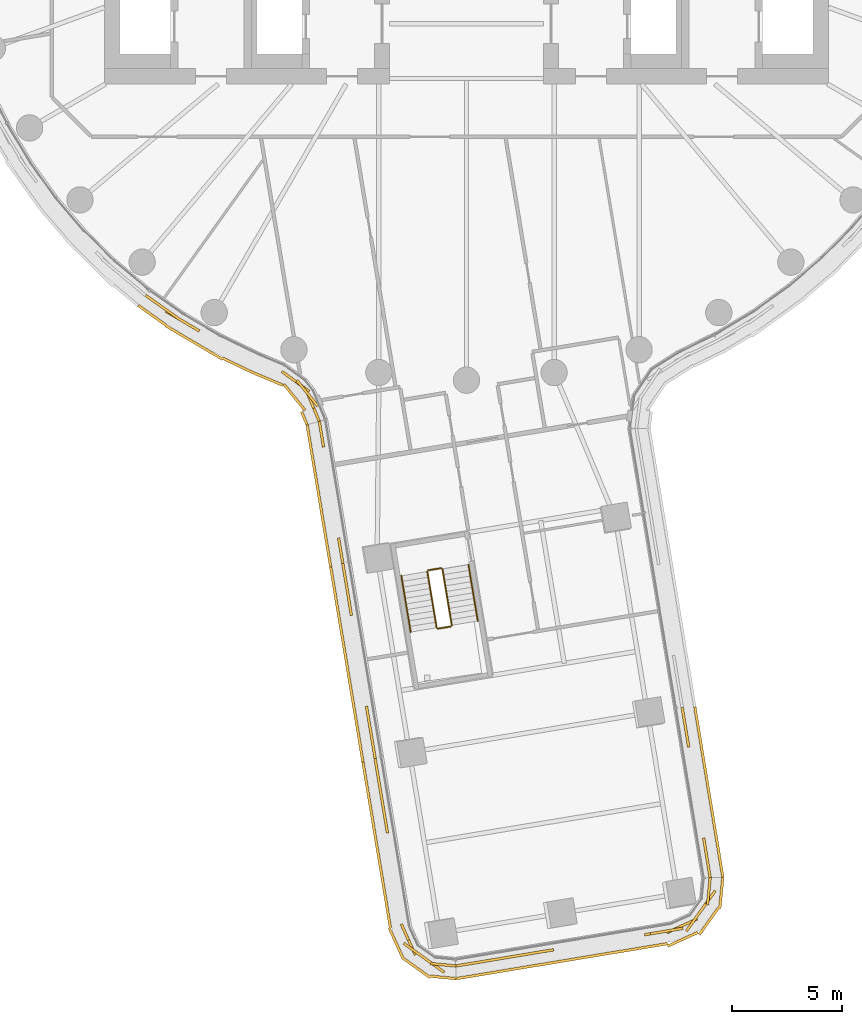
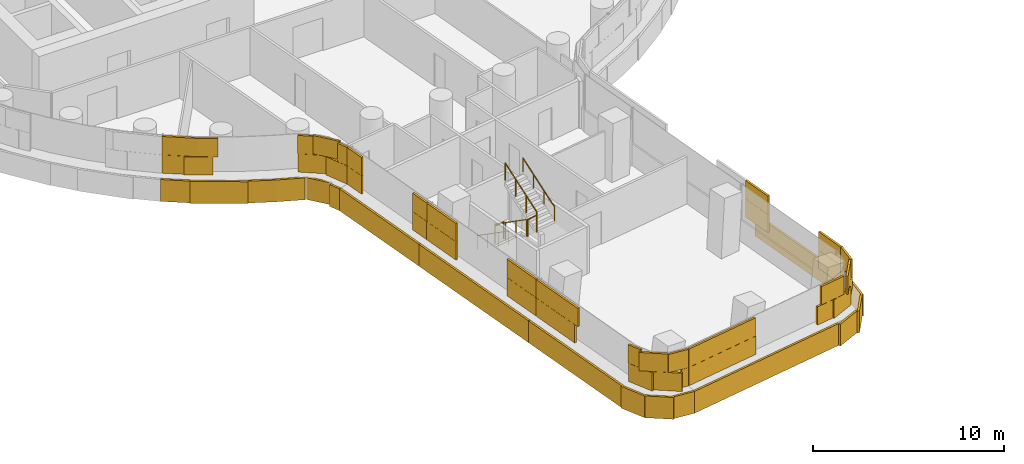
# One storey, part 26 of 32: 6 coverings, 6 railings.
"""IFC4 building model written with IfcOpenShell, lengths in metres."""

from ifc_helpers import new_model, si_unit, direction, frame, origin, origin_2d, place, context, subcontext, project, spatial, rectangle, circle, extrude, material, layer, layer_set, type_object, element, save


model = new_model("IFC4")

# Units and contexts
model_context = context("Model", 3, precision=1e-05, world=origin(), true_north=direction((0.0, 1.0)))
body_context = subcontext(model_context, "Body", "Model", "MODEL_VIEW")
ifc_project = project(units=[si_unit("LENGTHUNIT", "METRE"), si_unit("AREAUNIT", "SQUARE_METRE"), si_unit("VOLUMEUNIT", "CUBIC_METRE"), si_unit("PLANEANGLEUNIT", "RADIAN"), si_unit("MASSUNIT", "GRAM", prefix="KILO")], contexts=[model_context])

# Site, building, storey
site_placement = place(None, origin())
site = spatial("IfcSite", under=ifc_project, at=site_placement, CompositionType="ELEMENT")
building_placement = place(site_placement, origin())
building = spatial("IfcBuilding", under=site, at=building_placement, Name="Tamarind Cross Interchange Tower", CompositionType="ELEMENT")
storey_placement = place(building_placement, frame((0.0, 0.0, 67.75)))
storey = spatial("IfcBuildingStorey", under=building, at=storey_placement, Name="L15", CompositionType="ELEMENT", Elevation=67.75)

# Railings
ifc_material_1 = material(Name="Stair guard")
railing_type_1 = type_object("IfcRailingType", Name="Stair guard", PredefinedType="GUARDRAIL", material=ifc_material_1)
railing_1_placement = place(storey_placement, frame((-1.78564453125, -31.722412109375, 0.17041015625)))
element("IfcRailing", 1, at=railing_1_placement, inside=storey, type_object=railing_type_1, Name="L15 ST6 stair guard 1", PredefinedType="GUARDRAIL", context=body_context, shape_type="SweptSolid", body=[
    extrude(circle(Radius=0.02392578125, at=origin_2d()), frame((0.0, 0.0, 1.076171875), z_axis=(0.136643238685, -0.82504245151, 0.548300627874), x_axis=(0.986560917186, 0.163393869779, 0.0)), (0.0, 0.0, 1.0), 3.10888671875),
    extrude(circle(Radius=0.02099609375, at=origin_2d()), origin(), (0.0, 0.0, 1.0), 1.052001953125),
    extrude(circle(Radius=0.02099609375, at=origin_2d()), frame((0.1416015625, -0.85498046875, 0.568115234375)), (0.0, 0.0, 1.0), 1.052001953125),
    extrude(circle(Radius=0.02099609375, at=origin_2d()), frame((0.283203125, -1.7099609375, 1.136474609375)), (0.0, 0.0, 1.0), 1.052001953125),
    extrude(circle(Radius=0.02099609375, at=origin_2d()), frame((0.4248046875, -2.56494140625, 1.70458984375)), (0.0, 0.0, 1.0), 1.052001953125),
])
railing_2_placement = place(storey_placement, frame((-1.30322265625, -34.32861328125, 1.875)))
element("IfcRailing", 2, at=railing_2_placement, inside=storey, type_object=railing_type_1, Name="L15 ST6 stair guard 2", PredefinedType="GUARDRAIL", context=body_context, shape_type="SweptSolid", body=[
    extrude(circle(Radius=0.02392578125, at=origin_2d()), frame((0.0, 0.0, 1.076171875), z_axis=(0.986525600228, 0.163606968355, 0.0), x_axis=(-0.163606968355, 0.986525600228, 0.0)), (0.0, 0.0, 1.0), 0.599853515625),
    extrude(circle(Radius=0.02099609375, at=origin_2d()), origin(), (0.0, 0.0, 1.0), 1.052001953125),
    extrude(circle(Radius=0.02099609375, at=origin_2d()), frame((0.591796875, 0.09814453125, 0.0)), (0.0, 0.0, 1.0), 1.052001953125),
])
railing_3_placement = place(storey_placement, frame((-0.670166015625, -34.173095703125, 2.04541015625)))
element("IfcRailing", 3, at=railing_3_placement, inside=storey, type_object=railing_type_1, Name="L15 ST6 stair guard 3", PredefinedType="GUARDRAIL", context=body_context, shape_type="SweptSolid", body=[
    extrude(circle(Radius=0.02392578125, at=origin_2d()), frame((0.0, 0.0, 1.076171875), z_axis=(-0.136634385862, 0.825067524282, 0.548265104648), x_axis=(-0.986563423859, -0.163378733941, 0.0)), (0.0, 0.0, 1.0), 3.109130859375),
    extrude(circle(Radius=0.02099609375, at=origin_2d()), origin(), (0.0, 0.0, 1.0), 1.052001953125),
    extrude(circle(Radius=0.02099609375, at=origin_2d()), frame((-0.1416015625, 0.85498046875, 0.568115234375)), (0.0, 0.0, 1.0), 1.052001953125),
    extrude(circle(Radius=0.02099609375, at=origin_2d()), frame((-0.283203125, 1.710205078125, 1.136474609375)), (0.0, 0.0, 1.0), 1.052001953125),
    extrude(circle(Radius=0.02099609375, at=origin_2d()), frame((-0.4248046875, 2.565185546875, 1.70458984375)), (0.0, 0.0, 1.0), 1.052001953125),
])
railing_4_placement = place(storey_placement, frame((-1.744384765625, -31.664794921875, 0.0)))
element("IfcRailing", 4, at=railing_4_placement, inside=storey, type_object=railing_type_1, Name="L15 ST6 stair guard 4", PredefinedType="GUARDRAIL", context=body_context, shape_type="SweptSolid", body=[
    extrude(circle(Radius=0.02392578125, at=origin_2d()), frame((0.0, 0.0, 1.076171875), z_axis=(0.986602048355, 0.163145328408, 0.0), x_axis=(-0.163145328408, 0.986602048355, 0.0)), (0.0, 0.0, 1.0), 0.60009765625),
    extrude(circle(Radius=0.02099609375, at=origin_2d()), origin(), (0.0, 0.0, 1.0), 1.052001953125),
    extrude(circle(Radius=0.02099609375, at=origin_2d()), frame((0.592041015625, 0.097900390625, 0.0)), (0.0, 0.0, 1.0), 1.052001953125),
])
ifc_material_2 = material(Name="Stair handrail")
railing_type_2 = type_object("IfcRailingType", Name="Stair handrail", PredefinedType="HANDRAIL", material=ifc_material_2)
railing_5_placement = place(storey_placement, frame((-2.969482421875, -31.91845703125, 0.17041015625)))
element("IfcRailing", 5, at=railing_5_placement, inside=storey, type_object=railing_type_2, Name="L15 ST6 stair handrail 1", PredefinedType="HANDRAIL", context=body_context, shape_type="SweptSolid", body=[
    extrude(circle(Radius=0.02392578125, at=origin_2d()), frame((0.0, 0.0, 0.8759765625), z_axis=(0.136643238685, -0.82504245151, 0.548300627874), x_axis=(0.986560917186, 0.163393869779, 0.0)), (0.0, 0.0, 1.0), 3.10888671875),
    extrude(circle(Radius=0.02099609375, at=origin_2d()), origin(), (0.0, 0.0, 1.0), 0.851806640625),
    extrude(circle(Radius=0.02099609375, at=origin_2d()), frame((0.1416015625, -0.85498046875, 0.568115234375)), (0.0, 0.0, 1.0), 0.851806640625),
    extrude(circle(Radius=0.02099609375, at=origin_2d()), frame((0.283203125, -1.7099609375, 1.136474609375)), (0.0, 0.0, 1.0), 0.851806640625),
    extrude(circle(Radius=0.02099609375, at=origin_2d()), frame((0.4248046875, -2.56494140625, 1.70458984375)), (0.0, 0.0, 1.0), 0.851806640625),
])
railing_6_placement = place(storey_placement, frame((0.513671875, -33.97705078125, 2.04541015625)))
element("IfcRailing", 6, at=railing_6_placement, inside=storey, type_object=railing_type_2, Name="L15 ST6 stair handrail 2", PredefinedType="HANDRAIL", context=body_context, shape_type="SweptSolid", body=[
    extrude(circle(Radius=0.02392578125, at=origin_2d()), frame((0.0, 0.0, 0.8759765625), z_axis=(-0.136634385862, 0.825067524282, 0.548265104648), x_axis=(-0.986563423859, -0.163378733941, 0.0)), (0.0, 0.0, 1.0), 3.109130859375),
    extrude(circle(Radius=0.02099609375, at=origin_2d()), origin(), (0.0, 0.0, 1.0), 0.851806640625),
    extrude(circle(Radius=0.02099609375, at=origin_2d()), frame((-0.1416015625, 0.85498046875, 0.568115234375)), (0.0, 0.0, 1.0), 0.851806640625),
    extrude(circle(Radius=0.02099609375, at=origin_2d()), frame((-0.283203125, 1.710205078125, 1.136474609375)), (0.0, 0.0, 1.0), 0.851806640625),
    extrude(circle(Radius=0.02099609375, at=origin_2d()), frame((-0.4248046875, 2.565185546875, 1.70458984375)), (0.0, 0.0, 1.0), 0.851806640625),
])

# Coverings
ifc_material_3 = material(Name="Terracotta", Category="masonry")
ifc_layer = layer(ifc_material_3, 0.1201171875)
ifc_layer_set = layer_set([ifc_layer], Name="Terracotta")
covering_type = type_object("IfcCoveringType", Name="Terracotta baguette screen unit", PredefinedType="MOLDING", material=ifc_layer_set)
covering_1_placement = place(storey_placement, origin())
element("IfcCovering", 7, at=covering_1_placement, inside=storey, type_object=covering_type, Name="SCR-L15-06-01", PredefinedType="MOLDING", context=body_context, shape_type="SweptSolid", body=[
    extrude(rectangle(XDim=1.171875, YDim=0.1201171875, at=origin_2d()), frame((-14.1455078125, -19.4716796875, 1.404052734375), z_axis=(0.0, 0.0, 1.0), x_axis=(0.816341886298, -0.577568978284, 0.0)), (0.0, 0.0, 1.0), 1.1669921875),
    extrude(rectangle(XDim=1.52001953125, YDim=0.1201171875, at=origin_2d()), frame((-13.057373046875, -20.238037109375, 1.404052734375), z_axis=(0.0, 0.0, 1.0), x_axis=(0.861248933065, -0.508183308752, 0.0)), (0.0, 0.0, 1.0), 1.1669921875),
    extrude(rectangle(XDim=1.52001953125, YDim=0.1201171875, at=origin_2d()), frame((-7.782958984375, -23.063232421875, 1.404052734375), z_axis=(0.0, 0.0, 1.0), x_axis=(0.807619088086, -0.58970450953, 0.0)), (0.0, 0.0, 1.0), 1.1669921875),
    extrude(rectangle(XDim=1.40771484375, YDim=0.1201171875, at=origin_2d()), frame((-6.98193359375, -24.23193359375, 1.404052734375), z_axis=(0.0, 0.0, 1.0), x_axis=(0.388605632724, -0.921404179617, 0.0)), (0.0, 0.0, 1.0), 1.1669921875),
    extrude(rectangle(XDim=0.421875, YDim=0.1201171875, at=origin_2d()), frame((-14.451416015625, -19.255126953125, 2.5791015625), z_axis=(0.0, 0.0, 1.0), x_axis=(0.816341886298, -0.577568978284, 0.0)), (0.0, 0.0, 1.0), 1.1669921875),
    extrude(rectangle(XDim=1.52001953125, YDim=0.1201171875, at=origin_2d()), frame((-13.671142578125, -19.80712890625, 2.5791015625), z_axis=(0.0, 0.0, 1.0), x_axis=(0.816341886298, -0.577568978284, 0.0)), (0.0, 0.0, 1.0), 1.1669921875),
    extrude(rectangle(XDim=1.02783203125, YDim=0.1201171875, at=origin_2d()), frame((-12.618896484375, -20.49658203125, 2.5791015625), z_axis=(0.0, 0.0, 1.0), x_axis=(0.861248933065, -0.508183308752, 0.0)), (0.0, 0.0, 1.0), 1.1669921875),
    extrude(rectangle(XDim=0.7919921875, YDim=0.1201171875, at=origin_2d()), frame((-8.098876953125, -22.832763671875, 2.5791015625), z_axis=(0.0, 0.0, 1.0), x_axis=(0.807619088086, -0.58970450953, 0.0)), (0.0, 0.0, 1.0), 1.1669921875),
    extrude(rectangle(XDim=1.52001953125, YDim=0.1201171875, at=origin_2d()), frame((-7.258544921875, -23.591064453125, 2.5791015625), z_axis=(0.0, 0.0, 1.0), x_axis=(0.629913015417, -0.776665689347, 0.0)), (0.0, 0.0, 1.0), 1.1669921875),
    extrude(rectangle(XDim=0.65771484375, YDim=0.1201171875, at=origin_2d()), frame((-6.836181640625, -24.577392578125, 2.5791015625), z_axis=(0.0, 0.0, 1.0), x_axis=(0.388605632724, -0.921404179617, 0.0)), (0.0, 0.0, 1.0), 1.1669921875),
    extrude(rectangle(XDim=0.06396484375, YDim=0.1201171875, at=origin_2d()), frame((-14.9423828125, -19.61083984375, 0.00390625), z_axis=(0.0, 0.0, 1.0), x_axis=(0.816341886298, -0.577568978284, 0.0)), (0.0, 0.0, 1.0), 1.39208984375),
    extrude(rectangle(XDim=1.52001953125, YDim=0.1201171875, at=origin_2d()), frame((-14.31201171875, -20.056884765625, 0.00390625), z_axis=(0.0, 0.0, 1.0), x_axis=(0.816341886298, -0.577568978284, 0.0)), (0.0, 0.0, 1.0), 1.39208984375),
    extrude(rectangle(XDim=1.52001953125, YDim=0.1201171875, at=origin_2d()), frame((-13.070556640625, -20.896728515625, 0.00390625), z_axis=(0.0, 0.0, 1.0), x_axis=(0.861248933065, -0.508183308752, 0.0)), (0.0, 0.0, 1.0), 1.39208984375),
    extrude(rectangle(XDim=1.52001953125, YDim=0.1201171875, at=origin_2d()), frame((-11.778564453125, -21.658935546875, 0.00390625), z_axis=(0.0, 0.0, 1.0), x_axis=(0.861248933065, -0.508183308752, 0.0)), (0.0, 0.0, 1.0), 1.39208984375),
    extrude(rectangle(XDim=1.52001953125, YDim=0.1201171875, at=origin_2d()), frame((-10.434326171875, -22.323486328125, 0.00390625), z_axis=(0.0, 0.0, 1.0), x_axis=(0.900272776334, -0.435326231914, 0.0)), (0.0, 0.0, 1.0), 1.39208984375),
    extrude(rectangle(XDim=1.52001953125, YDim=0.1201171875, at=origin_2d()), frame((-9.066650390625, -22.938232421875, 0.00390625), z_axis=(0.0, 0.0, 1.0), x_axis=(0.921481430343, -0.388422416362, 0.0)), (0.0, 0.0, 1.0), 1.39208984375),
    extrude(rectangle(XDim=1.52001953125, YDim=0.1201171875, at=origin_2d()), frame((-7.84326171875, -23.78125, 0.00390625), z_axis=(0.0, 0.0, 1.0), x_axis=(0.629913015417, -0.776665689347, 0.0)), (0.0, 0.0, 1.0), 1.39208984375),
    extrude(rectangle(XDim=0.647705078125, YDim=0.1201171875, at=origin_2d()), frame((-7.391357421875, -24.73828125, 0.00390625), z_axis=(0.0, 0.0, 1.0), x_axis=(0.388605632724, -0.921404179617, 0.0)), (0.0, 0.0, 1.0), 1.39208984375),
])
covering_2_placement = place(storey_placement, origin())
element("IfcCovering", 8, at=covering_2_placement, inside=storey, type_object=covering_type, Name="SCR-L15-07-00", PredefinedType="MOLDING", context=body_context, shape_type="SweptSolid", body=[
    extrude(rectangle(XDim=0.760009765625, YDim=0.1201171875, at=origin_2d()), frame((-6.64892578125, -25.245849609375, 1.404052734375), z_axis=(0.0, 0.0, 1.0), x_axis=(0.163381062571, -0.986563038226, 0.0)), (0.0, 0.0, 1.0), 1.1669921875),
    extrude(rectangle(XDim=0.445068359375, YDim=0.1201171875, at=origin_2d()), frame((-6.55224609375, -25.830322265625, 1.404052734375), z_axis=(0.0, 0.0, 1.0), x_axis=(0.163381062571, -0.986563038226, 0.0)), (0.0, 0.0, 1.0), 1.1669921875),
    extrude(rectangle(XDim=1.18505859375, YDim=0.1201171875, at=origin_2d()), frame((-5.733642578125, -30.773193359375, 1.404052734375), z_axis=(0.0, 0.0, 1.0), x_axis=(0.163381062571, -0.986563038226, 0.0)), (0.0, 0.0, 1.0), 1.1669921875),
    extrude(rectangle(XDim=1.18505859375, YDim=0.1201171875, at=origin_2d()), frame((-6.613525390625, -25.46044921875, 2.5791015625), z_axis=(0.0, 0.0, 1.0), x_axis=(0.163381062571, -0.986563038226, 0.0)), (0.0, 0.0, 1.0), 1.1669921875),
    extrude(rectangle(XDim=0.625, YDim=0.1201171875, at=origin_2d()), frame((-5.7802734375, -30.491943359375, 2.5791015625), z_axis=(0.0, 0.0, 1.0), x_axis=(0.163381062571, -0.986563038226, 0.0)), (0.0, 0.0, 1.0), 1.1669921875),
    extrude(rectangle(XDim=0.579833984375, YDim=0.1201171875, at=origin_2d()), frame((-5.683349609375, -31.076416015625, 2.5791015625), z_axis=(0.0, 0.0, 1.0), x_axis=(0.163381062571, -0.986563038226, 0.0)), (0.0, 0.0, 1.0), 1.1669921875),
    extrude(rectangle(XDim=0.760009765625, YDim=0.1201171875, at=origin_2d()), frame((-7.203369140625, -25.411376953125, 0.00390625), z_axis=(0.0, 0.0, 1.0), x_axis=(0.163381062571, -0.986563038226, 0.0)), (0.0, 0.0, 1.0), 1.39208984375),
    extrude(rectangle(XDim=1.52001953125, YDim=0.1201171875, at=origin_2d()), frame((-7.0205078125, -26.516357421875, 0.00390625), z_axis=(0.0, 0.0, 1.0), x_axis=(0.163381062571, -0.986563038226, 0.0)), (0.0, 0.0, 1.0), 1.39208984375),
    extrude(rectangle(XDim=1.52001953125, YDim=0.1201171875, at=origin_2d()), frame((-6.775390625, -27.996337890625, 0.00390625), z_axis=(0.0, 0.0, 1.0), x_axis=(0.163381062571, -0.986563038226, 0.0)), (0.0, 0.0, 1.0), 1.39208984375),
    extrude(rectangle(XDim=1.52001953125, YDim=0.1201171875, at=origin_2d()), frame((-6.5302734375, -29.47607421875, 0.00390625), z_axis=(0.0, 0.0, 1.0), x_axis=(0.163381062571, -0.986563038226, 0.0)), (0.0, 0.0, 1.0), 1.39208984375),
    extrude(rectangle(XDim=1.33203125, YDim=0.1201171875, at=origin_2d()), frame((-6.300537109375, -30.86328125, 0.00390625), z_axis=(0.0, 0.0, 1.0), x_axis=(0.163381062571, -0.986563038226, 0.0)), (0.0, 0.0, 1.0), 1.39208984375),
])
covering_3_placement = place(storey_placement, origin())
element("IfcCovering", 9, at=covering_3_placement, inside=storey, type_object=covering_type, Name="SCR-L15-07-01", PredefinedType="MOLDING", context=body_context, shape_type="SweptSolid", body=[
    extrude(rectangle(XDim=0.18994140625, YDim=0.1201171875, at=origin_2d()), frame((-5.6220703125, -31.446533203125, 1.404052734375), z_axis=(0.0, 0.0, 1.0), x_axis=(0.163381062571, -0.986563038226, 0.0)), (0.0, 0.0, 1.0), 1.1669921875),
    extrude(rectangle(XDim=1.52001953125, YDim=0.1201171875, at=origin_2d()), frame((-5.48486328125, -32.275146484375, 1.404052734375), z_axis=(0.0, 0.0, 1.0), x_axis=(0.163381062571, -0.986563038226, 0.0)), (0.0, 0.0, 1.0), 1.1669921875),
    extrude(rectangle(XDim=0.730224609375, YDim=0.1201171875, at=origin_2d()), frame((-5.303466796875, -33.370361328125, 1.404052734375), z_axis=(0.0, 0.0, 1.0), x_axis=(0.163381062571, -0.986563038226, 0.0)), (0.0, 0.0, 1.0), 1.1669921875),
    extrude(rectangle(XDim=1.08984375, YDim=0.1201171875, at=origin_2d()), frame((-4.47021484375, -38.40185546875, 1.404052734375), z_axis=(0.0, 0.0, 1.0), x_axis=(0.163381062571, -0.986563038226, 0.0)), (0.0, 0.0, 1.0), 1.1669921875),
    extrude(rectangle(XDim=1.330322265625, YDim=0.1201171875, at=origin_2d()), frame((-4.274169921875, -39.585693359375, 1.404052734375), z_axis=(0.0, 0.0, 1.0), x_axis=(0.163381062571, -0.986563038226, 0.0)), (0.0, 0.0, 1.0), 1.1669921875),
    extrude(rectangle(XDim=0.93994140625, YDim=0.1201171875, at=origin_2d()), frame((-5.560791015625, -31.81640625, 2.5791015625), z_axis=(0.0, 0.0, 1.0), x_axis=(0.163381062571, -0.986563038226, 0.0)), (0.0, 0.0, 1.0), 1.1669921875),
    extrude(rectangle(XDim=1.480224609375, YDim=0.1201171875, at=origin_2d()), frame((-5.36474609375, -33.00048828125, 2.5791015625), z_axis=(0.0, 0.0, 1.0), x_axis=(0.163381062571, -0.986563038226, 0.0)), (0.0, 0.0, 1.0), 1.1669921875),
    extrude(rectangle(XDim=0.33984375, YDim=0.1201171875, at=origin_2d()), frame((-4.531494140625, -38.031982421875, 2.5791015625), z_axis=(0.0, 0.0, 1.0), x_axis=(0.163381062571, -0.986563038226, 0.0)), (0.0, 0.0, 1.0), 1.1669921875),
    extrude(rectangle(XDim=1.52001953125, YDim=0.1201171875, at=origin_2d()), frame((-4.382080078125, -38.9345703125, 2.5791015625), z_axis=(0.0, 0.0, 1.0), x_axis=(0.163381062571, -0.986563038226, 0.0)), (0.0, 0.0, 1.0), 1.1669921875),
    extrude(rectangle(XDim=0.580322265625, YDim=0.1201171875, at=origin_2d()), frame((-4.212890625, -39.955810546875, 2.5791015625), z_axis=(0.0, 0.0, 1.0), x_axis=(0.163381062571, -0.986563038226, 0.0)), (0.0, 0.0, 1.0), 1.1669921875),
    extrude(rectangle(XDim=0.18798828125, YDim=0.1201171875, at=origin_2d()), frame((-6.176513671875, -31.613037109375, 0.00390625), z_axis=(0.0, 0.0, 1.0), x_axis=(0.163381062571, -0.986563038226, 0.0)), (0.0, 0.0, 1.0), 1.39208984375),
    extrude(rectangle(XDim=1.52001953125, YDim=0.1201171875, at=origin_2d()), frame((-6.0400390625, -32.435791015625, 0.00390625), z_axis=(0.0, 0.0, 1.0), x_axis=(0.163381062571, -0.986563038226, 0.0)), (0.0, 0.0, 1.0), 1.39208984375),
    extrude(rectangle(XDim=1.52001953125, YDim=0.1201171875, at=origin_2d()), frame((-5.795166015625, -33.915771484375, 0.00390625), z_axis=(0.0, 0.0, 1.0), x_axis=(0.163381062571, -0.986563038226, 0.0)), (0.0, 0.0, 1.0), 1.39208984375),
    extrude(rectangle(XDim=1.52001953125, YDim=0.1201171875, at=origin_2d()), frame((-5.550048828125, -35.3955078125, 0.00390625), z_axis=(0.0, 0.0, 1.0), x_axis=(0.163381062571, -0.986563038226, 0.0)), (0.0, 0.0, 1.0), 1.39208984375),
    extrude(rectangle(XDim=1.52001953125, YDim=0.1201171875, at=origin_2d()), frame((-5.304931640625, -36.875244140625, 0.00390625), z_axis=(0.0, 0.0, 1.0), x_axis=(0.163381062571, -0.986563038226, 0.0)), (0.0, 0.0, 1.0), 1.39208984375),
    extrude(rectangle(XDim=1.52001953125, YDim=0.1201171875, at=origin_2d()), frame((-5.059814453125, -38.355224609375, 0.00390625), z_axis=(0.0, 0.0, 1.0), x_axis=(0.163381062571, -0.986563038226, 0.0)), (0.0, 0.0, 1.0), 1.39208984375),
    extrude(rectangle(XDim=1.335693359375, YDim=0.1201171875, at=origin_2d()), frame((-4.829833984375, -39.744140625, 0.00390625), z_axis=(0.0, 0.0, 1.0), x_axis=(0.163381062571, -0.986563038226, 0.0)), (0.0, 0.0, 1.0), 1.39208984375),
])
covering_4_placement = place(storey_placement, origin())
element("IfcCovering", 10, at=covering_4_placement, inside=storey, type_object=covering_type, Name="SCR-L15-07-02", PredefinedType="MOLDING", context=body_context, shape_type="SweptSolid", body=[
    extrude(rectangle(XDim=0.189697265625, YDim=0.1201171875, at=origin_2d()), frame((-4.151611328125, -40.32568359375, 1.404052734375), z_axis=(0.0, 0.0, 1.0), x_axis=(0.163381062571, -0.986563038226, 0.0)), (0.0, 0.0, 1.0), 1.1669921875),
    extrude(rectangle(XDim=1.52001953125, YDim=0.1201171875, at=origin_2d()), frame((-4.014404296875, -41.154296875, 1.404052734375), z_axis=(0.0, 0.0, 1.0), x_axis=(0.163381062571, -0.986563038226, 0.0)), (0.0, 0.0, 1.0), 1.1669921875),
    extrude(rectangle(XDim=1.52001953125, YDim=0.1201171875, at=origin_2d()), frame((-3.76953125, -42.634033203125, 1.404052734375), z_axis=(0.0, 0.0, 1.0), x_axis=(0.163381062571, -0.986563038226, 0.0)), (0.0, 0.0, 1.0), 1.1669921875),
    extrude(rectangle(XDim=1.52001953125, YDim=0.1201171875, at=origin_2d()), frame((-2.64697265625, -48.51025390625, 1.404052734375), z_axis=(0.0, 0.0, 1.0), x_axis=(0.413155291351, -0.910660587282, 0.0)), (0.0, 0.0, 1.0), 1.1669921875),
    extrude(rectangle(XDim=1.52001953125, YDim=0.1201171875, at=origin_2d()), frame((-1.62841796875, -49.548583984375, 1.404052734375), z_axis=(0.0, 0.0, 1.0), x_axis=(0.813133271659, -0.582077557136, 0.0)), (0.0, 0.0, 1.0), 1.1669921875),
    extrude(rectangle(XDim=0.417236328125, YDim=0.1201171875, at=origin_2d()), frame((-0.69482421875, -49.68310546875, 1.404052734375), z_axis=(0.0, 0.0, 1.0), x_axis=(0.995232848487, -0.097527315623, 0.0)), (0.0, 0.0, 1.0), 1.1669921875),
    extrude(rectangle(XDim=0.939697265625, YDim=0.1201171875, at=origin_2d()), frame((-4.09033203125, -40.69580078125, 2.5791015625), z_axis=(0.0, 0.0, 1.0), x_axis=(0.163381062571, -0.986563038226, 0.0)), (0.0, 0.0, 1.0), 1.1669921875),
    extrude(rectangle(XDim=1.52001953125, YDim=0.1201171875, at=origin_2d()), frame((-3.891845703125, -41.894287109375, 2.5791015625), z_axis=(0.0, 0.0, 1.0), x_axis=(0.163381062571, -0.986563038226, 0.0)), (0.0, 0.0, 1.0), 1.1669921875),
    extrude(rectangle(XDim=1.023681640625, YDim=0.1201171875, at=origin_2d()), frame((-3.6865234375, -43.13427734375, 2.5791015625), z_axis=(0.0, 0.0, 1.0), x_axis=(0.163381062571, -0.986563038226, 0.0)), (0.0, 0.0, 1.0), 1.1669921875),
    extrude(rectangle(XDim=0.796142578125, YDim=0.1201171875, at=origin_2d()), frame((-2.8095703125, -48.15234375, 2.5791015625), z_axis=(0.0, 0.0, 1.0), x_axis=(0.413155291351, -0.910660587282, 0.0)), (0.0, 0.0, 1.0), 1.1669921875),
    extrude(rectangle(XDim=1.52001953125, YDim=0.1201171875, at=origin_2d()), frame((-2.23828125, -49.112060546875, 2.5791015625), z_axis=(0.0, 0.0, 1.0), x_axis=(0.813133271659, -0.582077557136, 0.0)), (0.0, 0.0, 1.0), 1.1669921875),
    extrude(rectangle(XDim=1.167236328125, YDim=0.1201171875, at=origin_2d()), frame((-1.068115234375, -49.646484375, 2.5791015625), z_axis=(0.0, 0.0, 1.0), x_axis=(0.995232848487, -0.097527315623, 0.0)), (0.0, 0.0, 1.0), 1.1669921875),
    extrude(rectangle(XDim=0.184326171875, YDim=0.1201171875, at=origin_2d()), frame((-4.70556640625, -40.493896484375, 0.00390625), z_axis=(0.0, 0.0, 1.0), x_axis=(0.163381062571, -0.986563038226, 0.0)), (0.0, 0.0, 1.0), 1.39208984375),
    extrude(rectangle(XDim=1.52001953125, YDim=0.1201171875, at=origin_2d()), frame((-4.56982421875, -41.31494140625, 0.00390625), z_axis=(0.0, 0.0, 1.0), x_axis=(0.163381062571, -0.986563038226, 0.0)), (0.0, 0.0, 1.0), 1.39208984375),
    extrude(rectangle(XDim=1.52001953125, YDim=0.1201171875, at=origin_2d()), frame((-4.32470703125, -42.794677734375, 0.00390625), z_axis=(0.0, 0.0, 1.0), x_axis=(0.163381062571, -0.986563038226, 0.0)), (0.0, 0.0, 1.0), 1.39208984375),
    extrude(rectangle(XDim=1.52001953125, YDim=0.1201171875, at=origin_2d()), frame((-4.07958984375, -44.274658203125, 0.00390625), z_axis=(0.0, 0.0, 1.0), x_axis=(0.163381062571, -0.986563038226, 0.0)), (0.0, 0.0, 1.0), 1.39208984375),
    extrude(rectangle(XDim=1.52001953125, YDim=0.1201171875, at=origin_2d()), frame((-3.83447265625, -45.75439453125, 0.00390625), z_axis=(0.0, 0.0, 1.0), x_axis=(0.163381062571, -0.986563038226, 0.0)), (0.0, 0.0, 1.0), 1.39208984375),
    extrude(rectangle(XDim=1.52001953125, YDim=0.1201171875, at=origin_2d()), frame((-3.58935546875, -47.234130859375, 0.00390625), z_axis=(0.0, 0.0, 1.0), x_axis=(0.163381062571, -0.986563038226, 0.0)), (0.0, 0.0, 1.0), 1.39208984375),
    extrude(rectangle(XDim=1.52001953125, YDim=0.1201171875, at=origin_2d()), frame((-3.204345703125, -48.671630859375, 0.00390625), z_axis=(0.0, 0.0, 1.0), x_axis=(0.413155291351, -0.910660587282, 0.0)), (0.0, 0.0, 1.0), 1.39208984375),
    extrude(rectangle(XDim=1.52001953125, YDim=0.1201171875, at=origin_2d()), frame((-2.2802734375, -49.78759765625, 0.00390625), z_axis=(0.0, 0.0, 1.0), x_axis=(0.813133271659, -0.582077557136, 0.0)), (0.0, 0.0, 1.0), 1.39208984375),
    extrude(rectangle(XDim=1.19140625, YDim=0.1201171875, at=origin_2d()), frame((-1.06591796875, -50.2236328125, 0.00390625), z_axis=(0.0, 0.0, 1.0), x_axis=(0.995232848487, -0.097527315623, 0.0)), (0.0, 0.0, 1.0), 1.39208984375),
])
covering_5_placement = place(storey_placement, origin())
element("IfcCovering", 11, at=covering_5_placement, inside=storey, type_object=covering_type, Name="SCR-L15-08-00", PredefinedType="MOLDING", context=body_context, shape_type="SweptSolid", body=[
    extrude(rectangle(XDim=0.760009765625, YDim=0.1201171875, at=origin_2d()), frame((-0.122314453125, -49.641845703125, 1.404052734375), z_axis=(0.0, 0.0, 1.0), x_axis=(0.986563038226, 0.163381062571, 0.0)), (0.0, 0.0, 1.0), 1.1669921875),
    extrude(rectangle(XDim=1.52001953125, YDim=0.1201171875, at=origin_2d()), frame((0.987548828125, -49.4580078125, 1.404052734375), z_axis=(0.0, 0.0, 1.0), x_axis=(0.986563038226, 0.163381062571, 0.0)), (0.0, 0.0, 1.0), 1.1669921875),
    extrude(rectangle(XDim=1.52001953125, YDim=0.1201171875, at=origin_2d()), frame((2.46728515625, -49.212890625, 1.404052734375), z_axis=(0.0, 0.0, 1.0), x_axis=(0.986563038226, 0.163381062571, 0.0)), (0.0, 0.0, 1.0), 1.1669921875),
    extrude(rectangle(XDim=0.784912109375, YDim=0.1201171875, at=origin_2d()), frame((3.589599609375, -49.027099609375, 1.404052734375), z_axis=(0.0, 0.0, 1.0), x_axis=(0.986563038226, 0.163381062571, 0.0)), (0.0, 0.0, 1.0), 1.1669921875),
    extrude(rectangle(XDim=1.03515625, YDim=0.1201171875, at=origin_2d()), frame((8.620849609375, -48.19384765625, 1.404052734375), z_axis=(0.0, 0.0, 1.0), x_axis=(0.986563038226, 0.163381062571, 0.0)), (0.0, 0.0, 1.0), 1.1669921875),
    extrude(rectangle(XDim=1.52001953125, YDim=0.1201171875, at=origin_2d()), frame((9.830322265625, -47.868408203125, 1.404052734375), z_axis=(0.0, 0.0, 1.0), x_axis=(0.910660587282, 0.413155291351, 0.0)), (0.0, 0.0, 1.0), 1.1669921875),
    extrude(rectangle(XDim=1.52001953125, YDim=0.1201171875, at=origin_2d()), frame((10.89892578125, -46.88671875, 1.404052734375), z_axis=(0.0, 0.0, 1.0), x_axis=(0.582077557136, 0.813133271659, 0.0)), (0.0, 0.0, 1.0), 1.1669921875),
    extrude(rectangle(XDim=0.509521484375, YDim=0.1201171875, at=origin_2d()), frame((11.0830078125, -45.92431640625, 1.404052734375), z_axis=(0.0, 0.0, 1.0), x_axis=(0.097527315623, 0.995232848487, 0.0)), (0.0, 0.0, 1.0), 1.1669921875),
    extrude(rectangle(XDim=1.510009765625, YDim=0.1201171875, at=origin_2d()), frame((0.24755859375, -49.58056640625, 2.5791015625), z_axis=(0.0, 0.0, 1.0), x_axis=(0.986563038226, 0.163381062571, 0.0)), (0.0, 0.0, 1.0), 1.1669921875),
    extrude(rectangle(XDim=1.52001953125, YDim=0.1201171875, at=origin_2d()), frame((1.7275390625, -49.33544921875, 2.5791015625), z_axis=(0.0, 0.0, 1.0), x_axis=(0.986563038226, 0.163381062571, 0.0)), (0.0, 0.0, 1.0), 1.1669921875),
    extrude(rectangle(XDim=1.52001953125, YDim=0.1201171875, at=origin_2d()), frame((3.207275390625, -49.09033203125, 2.5791015625), z_axis=(0.0, 0.0, 1.0), x_axis=(0.986563038226, 0.163381062571, 0.0)), (0.0, 0.0, 1.0), 1.1669921875),
    extrude(rectangle(XDim=1.52001953125, YDim=0.1201171875, at=origin_2d()), frame((9.126708984375, -48.110107421875, 2.5791015625), z_axis=(0.0, 0.0, 1.0), x_axis=(0.986563038226, 0.163381062571, 0.0)), (0.0, 0.0, 1.0), 1.1669921875),
    extrude(rectangle(XDim=1.52001953125, YDim=0.1201171875, at=origin_2d()), frame((10.46240234375, -47.49658203125, 2.5791015625), z_axis=(0.0, 0.0, 1.0), x_axis=(0.582077557136, 0.813133271659, 0.0)), (0.0, 0.0, 1.0), 1.1669921875),
    extrude(rectangle(XDim=1.259521484375, YDim=0.1201171875, at=origin_2d()), frame((11.04638671875, -46.29736328125, 2.5791015625), z_axis=(0.0, 0.0, 1.0), x_axis=(0.097527315623, 0.995232848487, 0.0)), (0.0, 0.0, 1.0), 1.1669921875),
    extrude(rectangle(XDim=0.760009765625, YDim=0.1201171875, at=origin_2d()), frame((-0.09814453125, -50.219482421875, 0.00390625), z_axis=(0.0, 0.0, 1.0), x_axis=(0.986563038226, 0.163381062571, 0.0)), (0.0, 0.0, 1.0), 1.39208984375),
    extrude(rectangle(XDim=1.52001953125, YDim=0.1201171875, at=origin_2d()), frame((1.0068359375, -50.03662109375, 0.00390625), z_axis=(0.0, 0.0, 1.0), x_axis=(0.986563038226, 0.163381062571, 0.0)), (0.0, 0.0, 1.0), 1.39208984375),
    extrude(rectangle(XDim=1.52001953125, YDim=0.1201171875, at=origin_2d()), frame((2.486572265625, -49.79150390625, 0.00390625), z_axis=(0.0, 0.0, 1.0), x_axis=(0.986563038226, 0.163381062571, 0.0)), (0.0, 0.0, 1.0), 1.39208984375),
    extrude(rectangle(XDim=1.52001953125, YDim=0.1201171875, at=origin_2d()), frame((3.966552734375, -49.54638671875, 0.00390625), z_axis=(0.0, 0.0, 1.0), x_axis=(0.986563038226, 0.163381062571, 0.0)), (0.0, 0.0, 1.0), 1.39208984375),
    extrude(rectangle(XDim=1.52001953125, YDim=0.1201171875, at=origin_2d()), frame((5.4462890625, -49.30126953125, 0.00390625), z_axis=(0.0, 0.0, 1.0), x_axis=(0.986563038226, 0.163381062571, 0.0)), (0.0, 0.0, 1.0), 1.39208984375),
    extrude(rectangle(XDim=1.52001953125, YDim=0.1201171875, at=origin_2d()), frame((6.926025390625, -49.05615234375, 0.00390625), z_axis=(0.0, 0.0, 1.0), x_axis=(0.986563038226, 0.163381062571, 0.0)), (0.0, 0.0, 1.0), 1.39208984375),
    extrude(rectangle(XDim=1.52001953125, YDim=0.1201171875, at=origin_2d()), frame((8.406005859375, -48.811279296875, 0.00390625), z_axis=(0.0, 0.0, 1.0), x_axis=(0.986563038226, 0.163381062571, 0.0)), (0.0, 0.0, 1.0), 1.39208984375),
    extrude(rectangle(XDim=1.52001953125, YDim=0.1201171875, at=origin_2d()), frame((9.861083984375, -48.48486328125, 0.00390625), z_axis=(0.0, 0.0, 1.0), x_axis=(0.910660587282, 0.413155291351, 0.0)), (0.0, 0.0, 1.0), 1.39208984375),
    extrude(rectangle(XDim=1.52001953125, YDim=0.1201171875, at=origin_2d()), frame((11.0546875, -47.6552734375, 0.00390625), z_axis=(0.0, 0.0, 1.0), x_axis=(0.582077557136, 0.813133271659, 0.0)), (0.0, 0.0, 1.0), 1.39208984375),
    extrude(rectangle(XDim=1.4267578125, YDim=0.1201171875, at=origin_2d()), frame((11.616455078125, -46.36669921875, 0.00390625), z_axis=(0.0, 0.0, 1.0), x_axis=(0.097527315623, 0.995232848487, 0.0)), (0.0, 0.0, 1.0), 1.39208984375),
])
covering_6_placement = place(storey_placement, origin())
element("IfcCovering", 12, at=covering_6_placement, inside=storey, type_object=covering_type, Name="SCR-L15-09-00", PredefinedType="MOLDING", context=body_context, shape_type="SweptSolid", body=[
    extrude(rectangle(XDim=0.760009765625, YDim=0.1201171875, at=origin_2d()), frame((11.046630859375, -45.3056640625, 1.404052734375), z_axis=(0.0, 0.0, 1.0), x_axis=(-0.162163789482, 0.986763854922, 0.0)), (0.0, 0.0, 1.0), 1.1669921875),
    extrude(rectangle(XDim=1.08984375, YDim=0.1201171875, at=origin_2d()), frame((10.898193359375, -44.40283203125, 1.404052734375), z_axis=(0.0, 0.0, 1.0), x_axis=(-0.162163789482, 0.986763854922, 0.0)), (0.0, 0.0, 1.0), 1.1669921875),
    extrude(rectangle(XDim=0.730224609375, YDim=0.1201171875, at=origin_2d()), frame((10.071044921875, -39.370361328125, 1.404052734375), z_axis=(0.0, 0.0, 1.0), x_axis=(-0.162163789482, 0.986763854922, 0.0)), (0.0, 0.0, 1.0), 1.1669921875),
    extrude(rectangle(XDim=1.11962890625, YDim=0.1201171875, at=origin_2d()), frame((9.9228515625, -38.467529296875, 1.404052734375), z_axis=(0.0, 0.0, 1.0), x_axis=(-0.162163789482, 0.986763854922, 0.0)), (0.0, 0.0, 1.0), 1.1669921875),
    extrude(rectangle(XDim=1.510009765625, YDim=0.1201171875, at=origin_2d()), frame((10.98583984375, -44.935546875, 2.5791015625), z_axis=(0.0, 0.0, 1.0), x_axis=(-0.162163789482, 0.986763854922, 0.0)), (0.0, 0.0, 1.0), 1.1669921875),
    extrude(rectangle(XDim=0.33984375, YDim=0.1201171875, at=origin_2d()), frame((10.83740234375, -44.03271484375, 2.5791015625), z_axis=(0.0, 0.0, 1.0), x_axis=(-0.162163789482, 0.986763854922, 0.0)), (0.0, 0.0, 1.0), 1.1669921875),
    extrude(rectangle(XDim=1.480224609375, YDim=0.1201171875, at=origin_2d()), frame((10.01025390625, -39.000244140625, 2.5791015625), z_axis=(0.0, 0.0, 1.0), x_axis=(-0.162163789482, 0.986763854922, 0.0)), (0.0, 0.0, 1.0), 1.1669921875),
    extrude(rectangle(XDim=0.36962890625, YDim=0.1201171875, at=origin_2d()), frame((9.862060546875, -38.097412109375, 2.5791015625), z_axis=(0.0, 0.0, 1.0), x_axis=(-0.162163789482, 0.986763854922, 0.0)), (0.0, 0.0, 1.0), 1.1669921875),
    extrude(rectangle(XDim=0.760009765625, YDim=0.1201171875, at=origin_2d()), frame((11.624267578125, -45.28173828125, 0.00390625), z_axis=(0.0, 0.0, 1.0), x_axis=(-0.162163789482, 0.986763854922, 0.0)), (0.0, 0.0, 1.0), 1.39208984375),
    extrude(rectangle(XDim=1.52001953125, YDim=0.1201171875, at=origin_2d()), frame((11.442626953125, -44.176513671875, 0.00390625), z_axis=(0.0, 0.0, 1.0), x_axis=(-0.162163789482, 0.986763854922, 0.0)), (0.0, 0.0, 1.0), 1.39208984375),
    extrude(rectangle(XDim=1.52001953125, YDim=0.1201171875, at=origin_2d()), frame((11.199462890625, -42.696533203125, 0.00390625), z_axis=(0.0, 0.0, 1.0), x_axis=(-0.162163789482, 0.986763854922, 0.0)), (0.0, 0.0, 1.0), 1.39208984375),
    extrude(rectangle(XDim=1.52001953125, YDim=0.1201171875, at=origin_2d()), frame((10.956298828125, -41.21630859375, 0.00390625), z_axis=(0.0, 0.0, 1.0), x_axis=(-0.162163789482, 0.986763854922, 0.0)), (0.0, 0.0, 1.0), 1.39208984375),
    extrude(rectangle(XDim=1.52001953125, YDim=0.1201171875, at=origin_2d()), frame((10.712890625, -39.736083984375, 0.00390625), z_axis=(0.0, 0.0, 1.0), x_axis=(-0.162163789482, 0.986763854922, 0.0)), (0.0, 0.0, 1.0), 1.39208984375),
    extrude(rectangle(XDim=1.115966796875, YDim=0.1201171875, at=origin_2d()), frame((10.50244140625, -38.455322265625, 0.00390625), z_axis=(0.0, 0.0, 1.0), x_axis=(-0.162163789482, 0.986763854922, 0.0)), (0.0, 0.0, 1.0), 1.39208984375),
])

save(model, "model.ifc")
